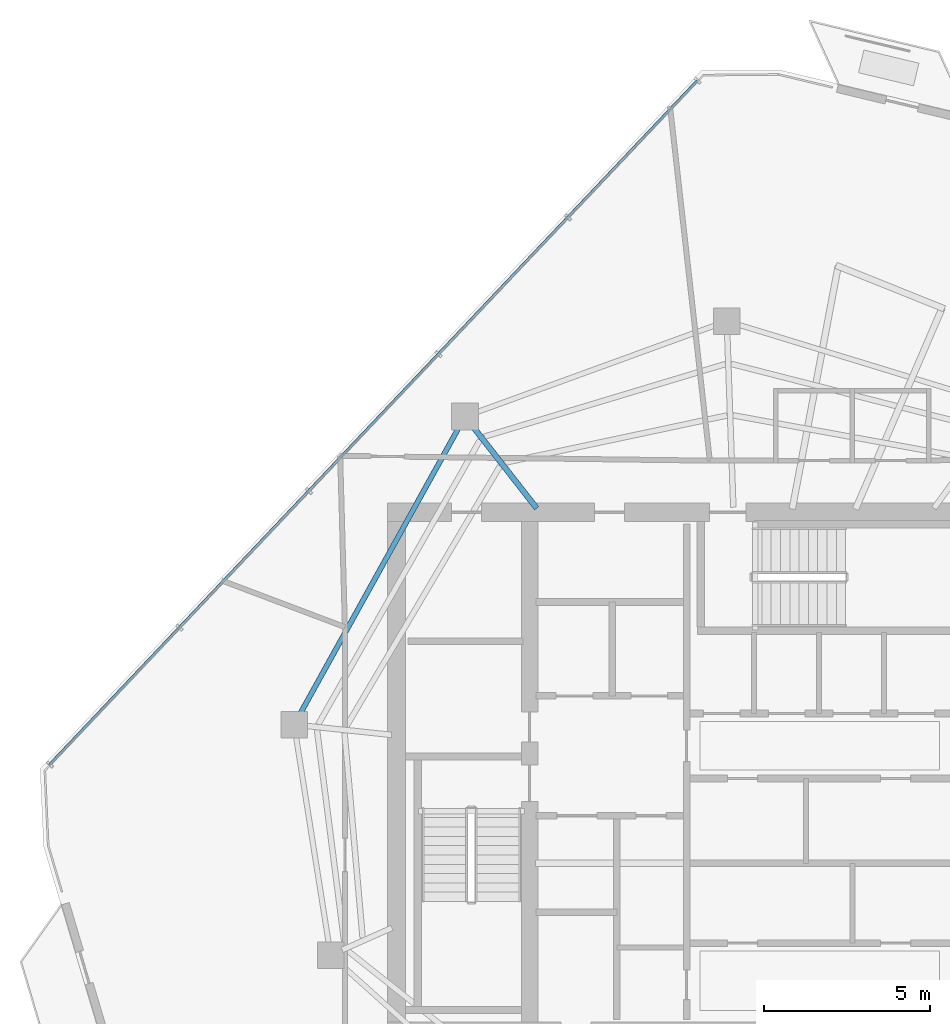
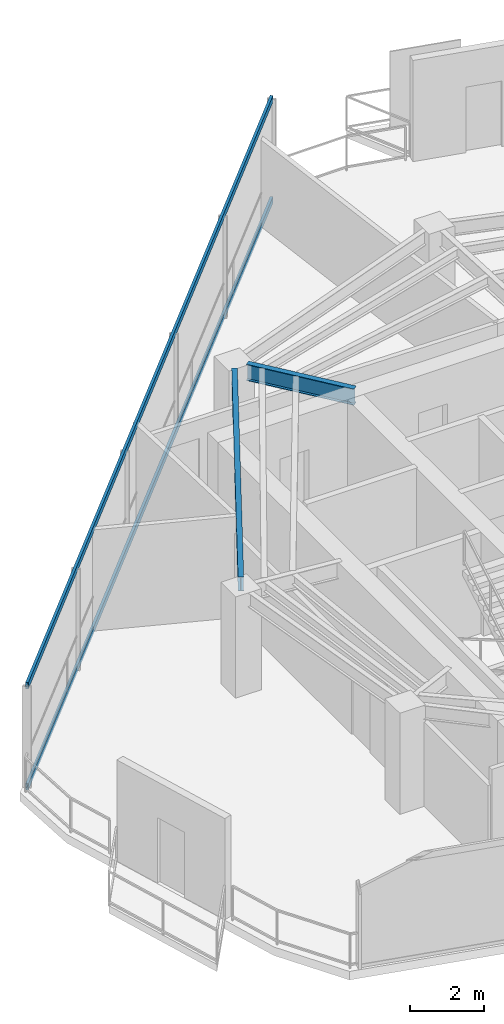
# One storey, part 7 of 18: 2 beams, 2 members, 1 element without a shape of its own.
"""IFC4 building model written with IfcOpenShell, lengths in metres."""

from ifc_helpers import new_model, si_unit, direction, frame, origin, origin_2d, place, context, subcontext, project, spatial, hollow_rectangle, i_section, extrude, material, layer, layer_set, material_profile, profile_set, type_object, element, aggregate, save


model = new_model("IFC4")

# Units and contexts
model_context = context("Model", 3, precision=1e-05, world=origin(), true_north=direction((0.0, 1.0)))
body_context = subcontext(model_context, "Body", "Model", "MODEL_VIEW")
ifc_project = project(units=[si_unit("LENGTHUNIT", "METRE"), si_unit("AREAUNIT", "SQUARE_METRE"), si_unit("VOLUMEUNIT", "CUBIC_METRE"), si_unit("PLANEANGLEUNIT", "RADIAN"), si_unit("MASSUNIT", "GRAM", prefix="KILO")], contexts=[model_context])

# Site, building, storey
site_placement = place(None, origin())
site = spatial("IfcSite", under=ifc_project, at=site_placement, CompositionType="ELEMENT")
building_placement = place(site_placement, origin())
building = spatial("IfcBuilding", under=site, at=building_placement, Name="Qarnah Convention Tower", CompositionType="ELEMENT")
storey_placement = place(building_placement, frame((0.0, 0.0, 242.699951171875)))
storey = spatial("IfcBuildingStorey", under=building, at=storey_placement, Name="L65", CompositionType="ELEMENT", Elevation=242.699951171875)

# Beams
ifc_material_1 = material(Name="Structural steel S355JR", Category="steel")
ifc_material_profile_1 = material_profile(ifc_material_1, i_section(OverallWidth=0.166015625, OverallDepth=0.535888671875, WebThickness=0.010009765625, FlangeThickness=0.01708984375, at=origin_2d()), Name="W530X85")
ifc_profile_set_1 = profile_set([ifc_material_profile_1], Name="Structural steel S355JR")
beam_type_1 = type_object("IfcBeamType", Name="BM-RAD-W530B", PredefinedType="BEAM", material=ifc_profile_set_1)
beam_1_placement = place(storey_placement, frame((31.013916015625, 34.318115234375, 3.052001953125), z_axis=(-0.61549837076, 0.78813815768, 0.0), x_axis=(-0.78813815768, -0.61549837076, 0.0)))
element("IfcBeam", 1, at=beam_1_placement, inside=storey, type_object=beam_type_1, Name="L65 beam BM-L65-RAD-04", PredefinedType="BEAM", context=body_context, shape_type="SweptSolid", body=[
    extrude(i_section(OverallWidth=0.166015625, OverallDepth=0.535888671875, WebThickness=0.010009765625, FlangeThickness=0.01708984375, at=origin_2d()), origin(), (0.0, 0.0, 1.0), 3.12255859375),
])
ifc_material_profile_2 = material_profile(ifc_material_1, i_section(OverallWidth=0.154052734375, OverallDepth=0.4599609375, WebThickness=0.009033203125, FlangeThickness=0.014892578125, at=origin_2d()), Name="W460X68")
ifc_profile_set_2 = profile_set([ifc_material_profile_2], Name="Structural steel S355JR")
beam_type_2 = type_object("IfcBeamType", Name="BM-SPN-W460B", PredefinedType="SPANDREL", material=ifc_profile_set_2)
beam_2_placement = place(storey_placement, frame((28.6689453125, 36.737060546875, 3.090087890625), z_axis=(-0.48479748752, -0.87462643231, 0.0), x_axis=(0.87462643231, -0.48479748752, 0.0)))
element("IfcBeam", 2, at=beam_2_placement, inside=storey, type_object=beam_type_2, Name="L65 spandrel BM-L65-SPN-04", PredefinedType="SPANDREL", context=body_context, shape_type="SweptSolid", body=[
    extrude(i_section(OverallWidth=0.154052734375, OverallDepth=0.4599609375, WebThickness=0.009033203125, FlangeThickness=0.014892578125, at=origin_2d()), origin(), (0.0, 0.0, 1.0), 9.81005859375),
])

# Curtain wall, members
ifc_material_2 = material(Name="Tempered Low-E dark glass", Category="glass")
ifc_layer = layer(ifc_material_2, 0.176025390625)
ifc_layer_set = layer_set([ifc_layer], Name="Tempered Low-E dark glass")
curtain_wall_type = type_object("IfcCurtainWallType", Name="CWS-05", PredefinedType="NOTDEFINED", material=ifc_layer_set)
curtain_wall_placement = place(storey_placement, origin())
curtain_wall = element("IfcCurtainWall", 3, at=curtain_wall_placement, inside=storey, type_object=curtain_wall_type, Name="L65 unitised curtain wall CW-L65-F1", PredefinedType="NOTDEFINED")
ifc_material_3 = material(Name="Black anodised aluminium", Category="aluminium")
ifc_material_profile_3 = material_profile(ifc_material_3, hollow_rectangle(XDim=0.080078125, YDim=0.2099609375, WallThickness=0.0048828125, at=origin_2d()), Name="TRN-80X210")
ifc_profile_set_3 = profile_set([ifc_material_profile_3], Name="Black anodised aluminium")
member_type = type_object("IfcMemberType", Name="TRN-T5", PredefinedType="USERDEFINED", material=ifc_profile_set_3)
member_1_placement = place(storey_placement, frame((16.383056640625, 26.6220703125, 0.0), z_axis=(0.687588164606, 0.726100899251, 0.0), x_axis=(-0.726100899251, 0.687588164606, 0.0)))
member_1 = element("IfcMember", 4, at=member_1_placement, type_object=member_type, Name="CW-L65-F1 transom 1", ObjectType="TRANSOM", PredefinedType="USERDEFINED", context=body_context, shape_type="SweptSolid", body=[
    extrude(hollow_rectangle(XDim=0.080078125, YDim=0.2099609375, WallThickness=0.0048828125, at=origin_2d()), origin(), (0.0, 0.0, 1.0), 28.3046875),
])
member_2_placement = place(storey_placement, frame((16.383056640625, 26.6220703125, 3.320068359375), z_axis=(0.687588164606, 0.726100899251, 0.0), x_axis=(-0.726100899251, 0.687588164606, 0.0)))
member_2 = element("IfcMember", 5, at=member_2_placement, type_object=member_type, Name="CW-L65-F1 transom 2", ObjectType="TRANSOM", PredefinedType="USERDEFINED", context=body_context, shape_type="SweptSolid", body=[
    extrude(hollow_rectangle(XDim=0.080078125, YDim=0.2099609375, WallThickness=0.0048828125, at=origin_2d()), origin(), (0.0, 0.0, 1.0), 28.3046875),
])
aggregate(curtain_wall, [member_1, member_2])

save(model, "model.ifc")
